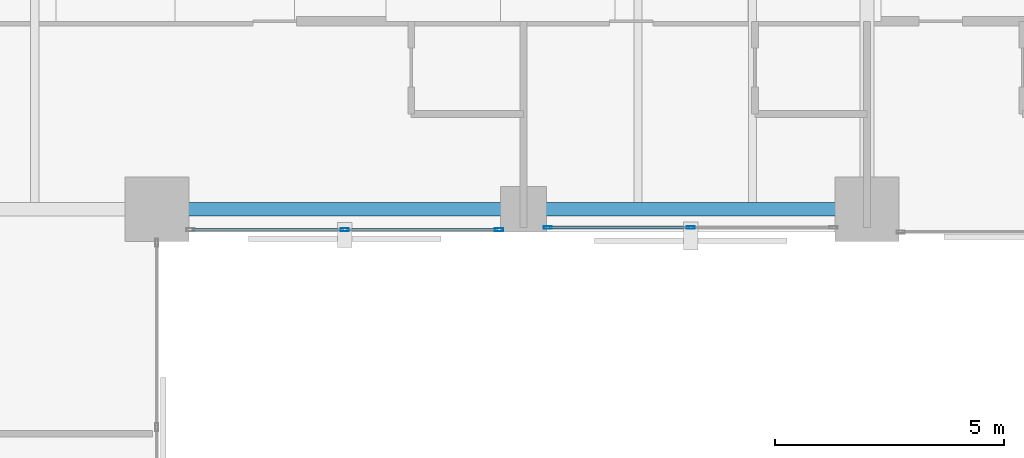
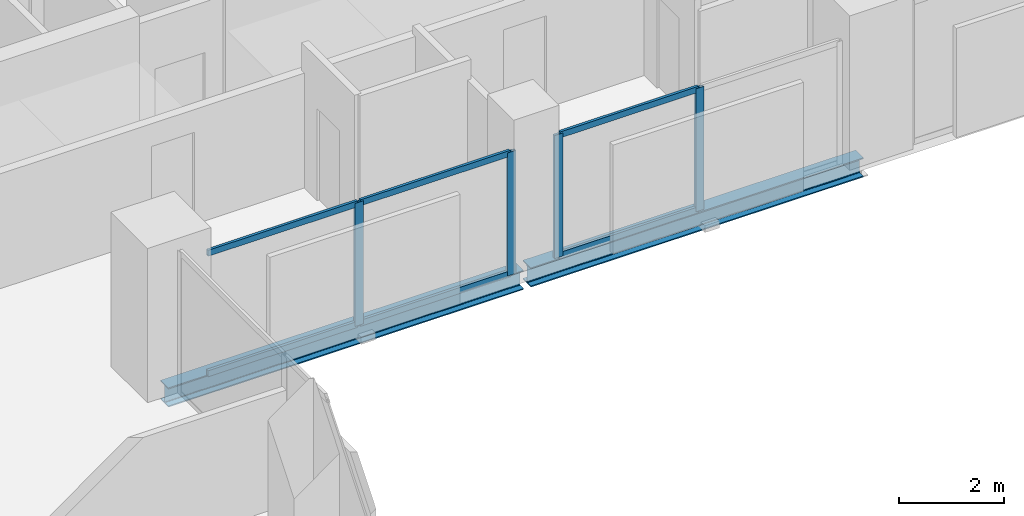
# One storey, part 13 of 32: 10 members, 2 beams, 2 elements without a shape of their own.
"""IFC4 building model written with IfcOpenShell, lengths in metres."""

from ifc_helpers import new_model, si_unit, direction, frame, origin, origin_2d, place, context, subcontext, project, spatial, hollow_rectangle, i_section, extrude, material, layer, layer_set, material_profile, profile_set, type_object, element, aggregate, save


model = new_model("IFC4")

# Units and contexts
model_context = context("Model", 3, precision=1e-05, world=origin(), true_north=direction((0.0, 1.0)))
body_context = subcontext(model_context, "Body", "Model", "MODEL_VIEW")
ifc_project = project(units=[si_unit("LENGTHUNIT", "METRE"), si_unit("AREAUNIT", "SQUARE_METRE"), si_unit("VOLUMEUNIT", "CUBIC_METRE"), si_unit("PLANEANGLEUNIT", "RADIAN"), si_unit("MASSUNIT", "GRAM", prefix="KILO")], contexts=[model_context])

# Site, building, storey
site_placement = place(None, origin())
site = spatial("IfcSite", under=ifc_project, at=site_placement, CompositionType="ELEMENT")
building_placement = place(site_placement, origin())
building = spatial("IfcBuilding", under=site, at=building_placement, Name="Catumbela Crestline Tower", CompositionType="ELEMENT")
storey_placement = place(building_placement, frame((0.0, 0.0, 33.0)))
storey = spatial("IfcBuildingStorey", under=building, at=storey_placement, Name="L07", CompositionType="ELEMENT", Elevation=33.0)

# Curtain wall, members
ifc_material_1 = material(Name="Aluminium alloy AW-6060-T66", Category="aluminium")
ifc_layer = layer(ifc_material_1, 0.18, Name="Aluminium alloy AW-6060-T66")
ifc_layer_set = layer_set([ifc_layer], Name="Aluminium alloy AW-6060-T66")
curtain_wall_type = type_object("IfcCurtainWallType", Name="CWU-Z1", PredefinedType="USERDEFINED", material=ifc_layer_set)
curtain_wall_1_placement = place(storey_placement, origin())
curtain_wall_1 = element("IfcCurtainWall", 1, at=curtain_wall_1_placement, inside=storey, type_object=curtain_wall_type, Name="L07 Unitised Curtain Wall CW-L07-E3S1", ObjectType="UNITISED", PredefinedType="USERDEFINED")
ifc_material_profile_1 = material_profile(ifc_material_1, hollow_rectangle(XDim=0.065, YDim=0.18, WallThickness=0.004, at=origin_2d()), Name="ALU 180x65x4")
ifc_profile_set_1 = profile_set([ifc_material_profile_1], Name="Aluminium alloy AW-6060-T66")
member_type_1 = type_object("IfcMemberType", Name="MUL-180X65", PredefinedType="MULLION", material=ifc_profile_set_1)
member_1_placement = place(storey_placement, frame((28.1, 24.05, 0.0), z_axis=(0.0, 0.0, 1.0), x_axis=(0.0, 1.0, 0.0)))
member_1 = element("IfcMember", 2, at=member_1_placement, type_object=member_type_1, Name="CWU-Z1 mullion 2", PredefinedType="MULLION", context=body_context, shape_type="SweptSolid", body=[
    extrude(hollow_rectangle(XDim=0.065, YDim=0.18, WallThickness=0.004, at=origin_2d()), origin(), (0.0, 0.0, 1.0), 2.87),
])
member_2_placement = place(storey_placement, frame((31.4675, 24.05, 0.0), z_axis=(0.0, 0.0, 1.0), x_axis=(0.0, 1.0, 0.0)))
member_2 = element("IfcMember", 3, at=member_2_placement, type_object=member_type_1, Name="CWU-Z1 mullion 3", PredefinedType="MULLION", context=body_context, shape_type="SweptSolid", body=[
    extrude(hollow_rectangle(XDim=0.065, YDim=0.18, WallThickness=0.004, at=origin_2d()), origin(), (0.0, 0.0, 1.0), 2.87),
])

curtain_wall_2_placement = place(storey_placement, origin())
curtain_wall_2 = element("IfcCurtainWall", 4, at=curtain_wall_2_placement, inside=storey, type_object=curtain_wall_type, Name="L07 Unitised Curtain Wall CW-L07-E3S2", ObjectType="UNITISED", PredefinedType="USERDEFINED")
member_3_placement = place(storey_placement, frame((32.5325, 24.1, 0.0), z_axis=(0.0, 0.0, 1.0), x_axis=(0.0, 1.0, 0.0)))
member_3 = element("IfcMember", 5, at=member_3_placement, type_object=member_type_1, Name="CWU-Z1 mullion 1", PredefinedType="MULLION", context=body_context, shape_type="SweptSolid", body=[
    extrude(hollow_rectangle(XDim=0.065, YDim=0.18, WallThickness=0.004, at=origin_2d()), origin(), (0.0, 0.0, 1.0), 2.87),
])
member_4_placement = place(storey_placement, frame((35.65, 24.1, 0.0), z_axis=(0.0, 0.0, 1.0), x_axis=(0.0, 1.0, 0.0)))
member_4 = element("IfcMember", 6, at=member_4_placement, type_object=member_type_1, Name="CWU-Z1 mullion 2", PredefinedType="MULLION", context=body_context, shape_type="SweptSolid", body=[
    extrude(hollow_rectangle(XDim=0.065, YDim=0.18, WallThickness=0.004, at=origin_2d()), origin(), (0.0, 0.0, 1.0), 2.87),
])

# Beams
ifc_material_2 = material(Name="Structural steel S355J2", Category="steel")
ifc_material_profile_2 = material_profile(ifc_material_2, i_section(OverallWidth=0.3, OverallDepth=0.45, WebThickness=0.014, FlangeThickness=0.026, FilletRadius=0.027, at=origin_2d()), Name="HEB 450")
ifc_profile_set_2 = profile_set([ifc_material_profile_2], Name="Structural steel S355J2")
beam_type = type_object("IfcBeamType", Name="BS-HEB450", PredefinedType="SPANDREL", material=ifc_profile_set_2)
beam_1_placement = place(storey_placement, frame((24.08, 24.5, -0.485), z_axis=(1.0, 0.0, 0.0), x_axis=(0.0, 1.0, 0.0)))
element("IfcBeam", 7, at=beam_1_placement, inside=storey, type_object=beam_type, Name="L07 Spandrel SP-L07-S05", PredefinedType="SPANDREL", context=body_context, shape_type="SweptSolid", body=[
    extrude(i_section(OverallWidth=0.3, OverallDepth=0.45, WebThickness=0.014, FlangeThickness=0.026, FilletRadius=0.027, at=origin_2d()), origin(), (0.0, 0.0, 1.0), 7.84),
])
beam_2_placement = place(storey_placement, frame((32.08, 24.5, -0.485), z_axis=(1.0, 0.0, 0.0), x_axis=(0.0, 1.0, 0.0)))
element("IfcBeam", 8, at=beam_2_placement, inside=storey, type_object=beam_type, Name="L07 Spandrel SP-L07-S06", PredefinedType="SPANDREL", context=body_context, shape_type="SweptSolid", body=[
    extrude(i_section(OverallWidth=0.3, OverallDepth=0.45, WebThickness=0.014, FlangeThickness=0.026, FilletRadius=0.027, at=origin_2d()), origin(), (0.0, 0.0, 1.0), 7.34),
])

# Member
ifc_material_profile_3 = material_profile(ifc_material_1, hollow_rectangle(XDim=0.06, YDim=0.14, WallThickness=0.004, at=origin_2d()), Name="ALU 140x60x4")
ifc_profile_set_3 = profile_set([ifc_material_profile_3], Name="Aluminium alloy AW-6060-T66")
member_type_2 = type_object("IfcMemberType", Name="TRN-140X60", PredefinedType="USERDEFINED", material=ifc_profile_set_3)
member_5_placement = place(storey_placement, frame((24.765, 24.05, 0.03), z_axis=(1.0, 0.0, 0.0), x_axis=(0.0, 1.0, 0.0)))
member_5 = element("IfcMember", 9, at=member_5_placement, type_object=member_type_2, Name="CWU-Z1 transom 1.1", ObjectType="TRANSOM", PredefinedType="USERDEFINED", context=body_context, shape_type="SweptSolid", body=[
    extrude(hollow_rectangle(XDim=0.06, YDim=0.14, WallThickness=0.004, at=origin_2d()), origin(), (0.0, 0.0, 1.0), 3.3025),
])

member_6_placement = place(storey_placement, frame((24.765, 24.05, 2.84), z_axis=(1.0, 0.0, 0.0), x_axis=(0.0, 1.0, 0.0)))
member_6 = element("IfcMember", 10, at=member_6_placement, type_object=member_type_2, Name="CWU-Z1 transom 1.2", ObjectType="TRANSOM", PredefinedType="USERDEFINED", context=body_context, shape_type="SweptSolid", body=[
    extrude(hollow_rectangle(XDim=0.06, YDim=0.14, WallThickness=0.004, at=origin_2d()), origin(), (0.0, 0.0, 1.0), 3.3025),
])

member_7_placement = place(storey_placement, frame((28.1325, 24.05, 0.03), z_axis=(1.0, 0.0, 0.0), x_axis=(0.0, 1.0, 0.0)))
member_7 = element("IfcMember", 11, at=member_7_placement, type_object=member_type_2, Name="CWU-Z1 transom 2.1", ObjectType="TRANSOM", PredefinedType="USERDEFINED", context=body_context, shape_type="SweptSolid", body=[
    extrude(hollow_rectangle(XDim=0.06, YDim=0.14, WallThickness=0.004, at=origin_2d()), origin(), (0.0, 0.0, 1.0), 3.3025),
])

member_8_placement = place(storey_placement, frame((28.1325, 24.05, 2.84), z_axis=(1.0, 0.0, 0.0), x_axis=(0.0, 1.0, 0.0)))
member_8 = element("IfcMember", 12, at=member_8_placement, type_object=member_type_2, Name="CWU-Z1 transom 2.2", ObjectType="TRANSOM", PredefinedType="USERDEFINED", context=body_context, shape_type="SweptSolid", body=[
    extrude(hollow_rectangle(XDim=0.06, YDim=0.14, WallThickness=0.004, at=origin_2d()), origin(), (0.0, 0.0, 1.0), 3.3025),
])

aggregate(curtain_wall_1, [member_1, member_2, member_5, member_6, member_7, member_8])

member_9_placement = place(storey_placement, frame((32.565, 24.1, 0.03), z_axis=(1.0, 0.0, 0.0), x_axis=(0.0, 1.0, 0.0)))
member_9 = element("IfcMember", 13, at=member_9_placement, type_object=member_type_2, Name="CWU-Z1 transom 1.1", ObjectType="TRANSOM", PredefinedType="USERDEFINED", context=body_context, shape_type="SweptSolid", body=[
    extrude(hollow_rectangle(XDim=0.06, YDim=0.14, WallThickness=0.004, at=origin_2d()), origin(), (0.0, 0.0, 1.0), 3.0525),
])

member_10_placement = place(storey_placement, frame((32.565, 24.1, 2.84), z_axis=(1.0, 0.0, 0.0), x_axis=(0.0, 1.0, 0.0)))
member_10 = element("IfcMember", 14, at=member_10_placement, type_object=member_type_2, Name="CWU-Z1 transom 1.2", ObjectType="TRANSOM", PredefinedType="USERDEFINED", context=body_context, shape_type="SweptSolid", body=[
    extrude(hollow_rectangle(XDim=0.06, YDim=0.14, WallThickness=0.004, at=origin_2d()), origin(), (0.0, 0.0, 1.0), 3.0525),
])

aggregate(curtain_wall_2, [member_3, member_4, member_9, member_10])

save(model, "model.ifc")
